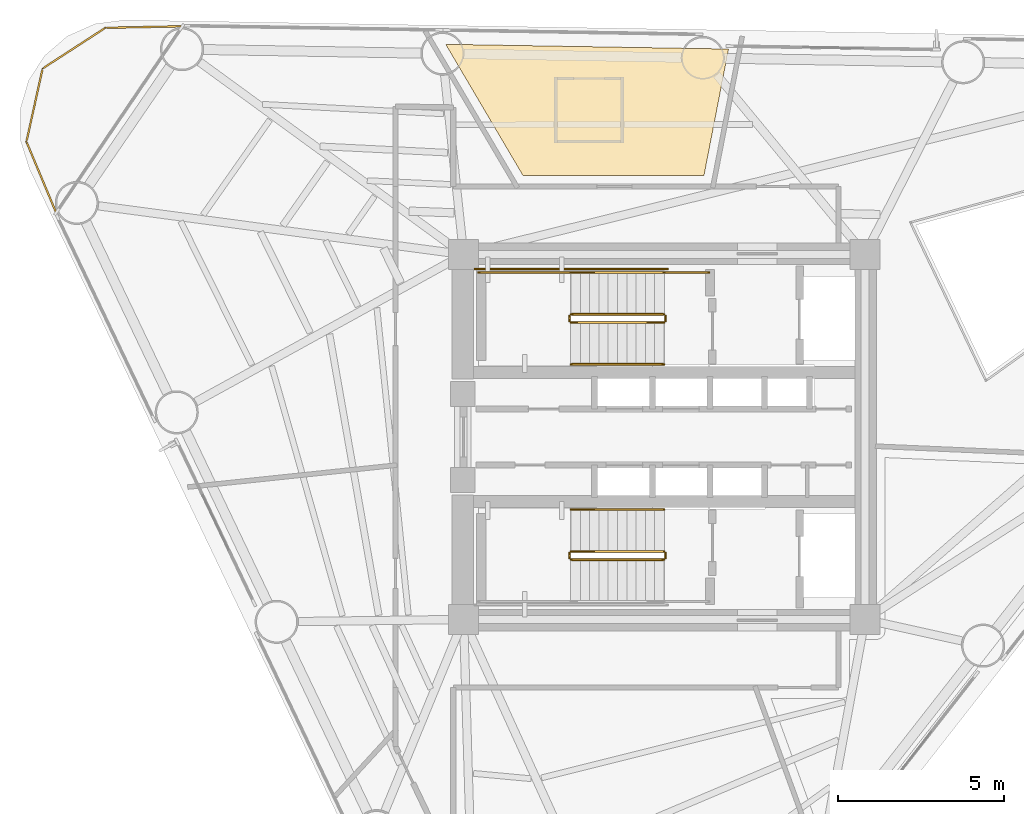
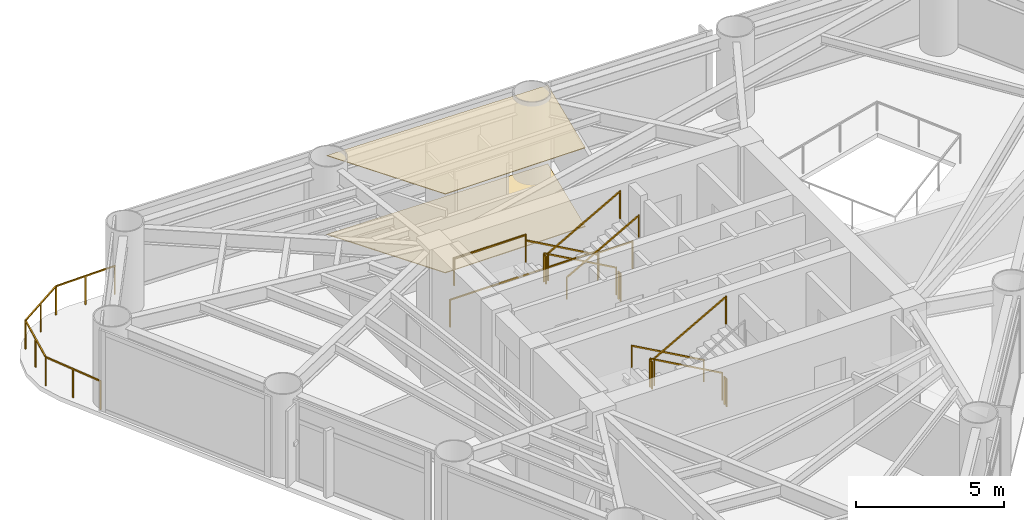
# One storey, part 9 of 10: 15 railings, 2 coverings.
"""IFC4 building model written with IfcOpenShell, lengths in metres."""

from ifc_helpers import new_model, si_unit, direction, frame, origin, origin_2d, place, context, subcontext, project, spatial, polyline, rectangle, outline, extrude, material, layer, layer_set, type_object, element, save


model = new_model("IFC4")

# Units and contexts
model_context = context("Model", 3, precision=1e-05, world=origin(), true_north=direction((0.0, 1.0)))
body_context = subcontext(model_context, "Body", "Model", "MODEL_VIEW")
ifc_project = project(units=[si_unit("LENGTHUNIT", "METRE"), si_unit("AREAUNIT", "SQUARE_METRE"), si_unit("VOLUMEUNIT", "CUBIC_METRE"), si_unit("PLANEANGLEUNIT", "RADIAN"), si_unit("MASSUNIT", "GRAM", prefix="KILO")], contexts=[model_context])

# Site, building, storey
site_placement = place(None, origin())
site = spatial("IfcSite", under=ifc_project, at=site_placement, CompositionType="ELEMENT")
building_placement = place(site_placement, origin())
building = spatial("IfcBuilding", under=site, at=building_placement, Name="Yunling Apex Tower", CompositionType="ELEMENT")
storey_placement = place(building_placement, frame((0.0, 0.0, 129.5)))
storey = spatial("IfcBuildingStorey", under=building, at=storey_placement, Name="L31", CompositionType="ELEMENT", Elevation=129.5)

# Coverings
ifc_material_1 = material(Name="Acoustic mineral fibre ceiling")
ifc_layer_1 = layer(ifc_material_1, 0.02490234375)
ifc_layer_set_1 = layer_set([ifc_layer_1], Name="Acoustic mineral fibre ceiling")
covering_type_1 = type_object("IfcCoveringType", Name="CV-CLG-1", PredefinedType="CEILING", material=ifc_layer_set_1)
covering_1_placement = place(storey_placement, frame((0.0, 0.0, 3.2451171875)))
element("IfcCovering", 1, at=covering_1_placement, inside=storey, type_object=covering_type_1, Name="CV-CL-SP-L31-GR05", PredefinedType="CEILING", context=body_context, shape_type="SweptSolid", body=[
    extrude(outline(polyline([(1.93701171875, 11.69384765625), (1.195556640625, 7.8798828125), (-4.2587890625, 7.8798828125), (-6.58935546875, 11.8369140625), (1.93701171875, 11.69384765625)])), origin(), (0.0, 0.0, 1.0), 0.02490234375),
])
ifc_material_2 = material(Name="Polished granite stone", Category="masonry")
ifc_layer_2 = layer(ifc_material_2, 0.030029296875)
ifc_layer_set_2 = layer_set([ifc_layer_2], Name="Polished granite stone")
covering_type_2 = type_object("IfcCoveringType", Name="CV-FLR-1", PredefinedType="FLOORING", material=ifc_layer_set_2)
covering_2_placement = place(storey_placement, origin())
element("IfcCovering", 2, at=covering_2_placement, inside=storey, type_object=covering_type_2, Name="CV-FL-SP-L31-GR05", PredefinedType="FLOORING", context=body_context, shape_type="SweptSolid", body=[
    extrude(outline(polyline([(1.93701171875, 11.69384765625), (1.195556640625, 7.8798828125), (-4.2587890625, 7.8798828125), (-6.58935546875, 11.8369140625), (1.93701171875, 11.69384765625)])), origin(), (0.0, 0.0, 1.0), 0.030029296875),
])

# Railings
ifc_material_3 = material(Name="Bronze anodised aluminium", Category="aluminium")
railing_type_1 = type_object("IfcRailingType", Name="RL-BAL-1200", PredefinedType="BALUSTRADE", material=ifc_material_3)
railing_1_placement = place(storey_placement, frame((-18.331298828125, 6.7578125, 0.0)))
element("IfcRailing", 3, at=railing_1_placement, inside=storey, type_object=railing_type_1, Name="RL-CRNSILL-L31-2", PredefinedType="BALUSTRADE", context=body_context, shape_type="SweptSolid", body=[
    extrude(rectangle(XDim=0.0439453125, YDim=0.0439453125, at=origin_2d()), origin(), (0.0, 0.0, 1.0), 1.199951171875),
    extrude(rectangle(XDim=0.0439453125, YDim=0.0439453125, at=origin_2d()), frame((-0.896240234375, 2.142578125, 0.0)), (0.0, 0.0, 1.0), 1.199951171875),
    extrude(rectangle(XDim=0.050048828125, YDim=0.050048828125, at=origin_2d()), frame((-0.014892578125, 0.035400390625, 1.1748046875), z_axis=(-0.385898856138, 0.92254109547, 0.0), x_axis=(-0.92254109547, -0.385898856138, 0.0)), (0.0, 0.0, 1.0), 2.245849609375),
    extrude(rectangle(XDim=0.0439453125, YDim=0.0439453125, at=origin_2d()), frame((-0.4482421875, 1.0712890625, 0.0)), (0.0, 0.0, 1.0), 1.14599609375),
    extrude(rectangle(XDim=0.0439453125, YDim=0.0439453125, at=origin_2d()), frame((-0.407958984375, 4.349609375, 0.0)), (0.0, 0.0, 1.0), 1.199951171875),
    extrude(rectangle(XDim=0.050048828125, YDim=0.050048828125, at=origin_2d()), frame((-0.887939453125, 2.179931640625, 1.1748046875), z_axis=(0.216015473483, 0.976389940145, 0.0), x_axis=(-0.976389940145, 0.216015473483, 0.0)), (0.0, 0.0, 1.0), 2.183837890625),
    extrude(rectangle(XDim=0.0439453125, YDim=0.0439453125, at=origin_2d()), frame((-0.652099609375, 3.24609375, 0.0)), (0.0, 0.0, 1.0), 1.14599609375),
    extrude(rectangle(XDim=0.0439453125, YDim=0.0439453125, at=origin_2d()), frame((1.482666015625, 5.574951171875, 0.0)), (0.0, 0.0, 1.0), 1.199951171875),
    extrude(rectangle(XDim=0.050048828125, YDim=0.050048828125, at=origin_2d()), frame((-0.375732421875, 4.370361328125, 1.1748046875), z_axis=(0.83916580884, 0.543875670786, 0.0), x_axis=(-0.543875670786, 0.83916580884, 0.0)), (0.0, 0.0, 1.0), 2.17626953125),
    extrude(rectangle(XDim=0.0439453125, YDim=0.0439453125, at=origin_2d()), frame((0.537353515625, 4.96240234375, 0.0)), (0.0, 0.0, 1.0), 1.14599609375),
    extrude(rectangle(XDim=0.0439453125, YDim=0.0439453125, at=origin_2d()), frame((3.805419921875, 5.6220703125, 0.0)), (0.0, 0.0, 1.0), 1.199951171875),
    extrude(rectangle(XDim=0.050048828125, YDim=0.050048828125, at=origin_2d()), frame((1.52099609375, 5.57568359375, 1.1748046875), z_axis=(0.999794304726, 0.020281721759, 0.0), x_axis=(-0.020281721759, 0.999794304726, 0.0)), (0.0, 0.0, 1.0), 2.24658203125),
    extrude(rectangle(XDim=0.0439453125, YDim=0.0439453125, at=origin_2d()), frame((2.64404296875, 5.5986328125, 0.0)), (0.0, 0.0, 1.0), 1.14599609375),
])
ifc_material_4 = material(Name="Steel Q355B", Category="steel")
railing_type_2 = type_object("IfcRailingType", Name="RL-GRD-1150", PredefinedType="GUARDRAIL", material=ifc_material_4)
railing_2_placement = place(storey_placement, frame((-0.010009765625, 3.699951171875, 0.15673828125)))
element("IfcRailing", 4, at=railing_2_placement, inside=storey, type_object=railing_type_2, Name="L31 ST-1 stair guard 1", PredefinedType="GUARDRAIL", context=body_context, shape_type="SweptSolid", body=[
    extrude(rectangle(XDim=0.0439453125, YDim=0.0439453125, at=origin_2d()), origin(), (0.0, 0.0, 1.0), 1.14990234375),
    extrude(rectangle(XDim=0.0439453125, YDim=0.0439453125, at=origin_2d()), frame((-2.800048828125, 0.0, 1.568359375)), (0.0, 0.0, 1.0), 1.14990234375),
    extrude(rectangle(XDim=0.050048828125, YDim=0.050048828125, at=origin_2d()), frame((-0.033447265625, 0.0, 1.1435546875), z_axis=(-0.872461907711, 0.0, 0.488682125306), x_axis=(0.0, -1.0, 0.0)), (0.0, 0.0, 1.0), 3.1328125),
])
railing_3_placement = place(storey_placement, frame((-2.860107421875, 3.64990234375, 1.72509765625)))
element("IfcRailing", 5, at=railing_3_placement, inside=storey, type_object=railing_type_2, Name="L31 ST-1 stair guard 2", PredefinedType="GUARDRAIL", context=body_context, shape_type="SweptSolid", body=[
    extrude(rectangle(XDim=0.0439453125, YDim=0.0439453125, at=origin_2d()), origin(), (0.0, 0.0, 1.0), 1.14990234375),
    extrude(rectangle(XDim=0.0439453125, YDim=0.0439453125, at=origin_2d()), frame((0.0, -0.14990234375, 0.0)), (0.0, 0.0, 1.0), 1.14990234375),
    extrude(rectangle(XDim=0.050048828125, YDim=0.050048828125, at=origin_2d()), frame((0.0, -0.038330078125, 1.125), z_axis=(0.0, -1.0, 0.0), x_axis=(1.0, 0.0, 0.0)), (0.0, 0.0, 1.0), 0.0732421875),
])
railing_4_placement = place(storey_placement, frame((-2.81005859375, 4.9599609375, 1.72509765625)))
element("IfcRailing", 6, at=railing_4_placement, inside=storey, type_object=railing_type_2, Name="L31 ST-1 stair guard 3", PredefinedType="GUARDRAIL", context=body_context, shape_type="SweptSolid", body=[
    extrude(rectangle(XDim=0.0439453125, YDim=0.0439453125, at=origin_2d()), origin(), (0.0, 0.0, 1.0), 1.14990234375),
    extrude(rectangle(XDim=0.0439453125, YDim=0.0439453125, at=origin_2d()), frame((-2.7900390625, 0.0, 0.0)), (0.0, 0.0, 1.0), 1.14990234375),
    extrude(rectangle(XDim=0.050048828125, YDim=0.050048828125, at=origin_2d()), frame((-0.038330078125, 0.0, 1.125), z_axis=(-1.0, 0.0, 0.0), x_axis=(0.0, -1.0, 0.0)), (0.0, 0.0, 1.0), 2.71337890625),
])
railing_5_placement = place(storey_placement, frame((-2.81005859375, 3.449951171875, 1.8818359375)))
element("IfcRailing", 7, at=railing_5_placement, inside=storey, type_object=railing_type_2, Name="L31 ST-1 stair guard 4", PredefinedType="GUARDRAIL", context=body_context, shape_type="SweptSolid", body=[
    extrude(rectangle(XDim=0.0439453125, YDim=0.0439453125, at=origin_2d()), origin(), (0.0, 0.0, 1.0), 1.14990234375),
    extrude(rectangle(XDim=0.0439453125, YDim=0.0439453125, at=origin_2d()), frame((2.800048828125, 0.0, 1.568115234375)), (0.0, 0.0, 1.0), 1.14990234375),
    extrude(rectangle(XDim=0.050048828125, YDim=0.050048828125, at=origin_2d()), frame((0.033447265625, 0.0, 1.1435546875), z_axis=(0.872494340497, 0.0, 0.48862421737), x_axis=(0.0, 1.0, 0.0)), (0.0, 0.0, 1.0), 3.132568359375),
])
railing_6_placement = place(storey_placement, frame((0.0400390625, 3.64990234375, 0.0)))
element("IfcRailing", 8, at=railing_6_placement, inside=storey, type_object=railing_type_2, Name="L31 ST-1 stair guard 5", PredefinedType="GUARDRAIL", context=body_context, shape_type="SweptSolid", body=[
    extrude(rectangle(XDim=0.0439453125, YDim=0.0439453125, at=origin_2d()), origin(), (0.0, 0.0, 1.0), 1.14990234375),
    extrude(rectangle(XDim=0.0439453125, YDim=0.0439453125, at=origin_2d()), frame((0.0, -0.14990234375, 0.0)), (0.0, 0.0, 1.0), 1.14990234375),
    extrude(rectangle(XDim=0.050048828125, YDim=0.050048828125, at=origin_2d()), frame((0.0, -0.038330078125, 1.125), z_axis=(0.0, -1.0, 0.0), x_axis=(1.0, 0.0, 0.0)), (0.0, 0.0, 1.0), 0.0732421875),
])
railing_7_placement = place(storey_placement, frame((1.35009765625, 4.9599609375, 0.0)))
element("IfcRailing", 9, at=railing_7_placement, inside=storey, type_object=railing_type_2, Name="L31 ST-1 stair guard 6", PredefinedType="GUARDRAIL", context=body_context, shape_type="SweptSolid", body=[
    extrude(rectangle(XDim=0.0439453125, YDim=0.0439453125, at=origin_2d()), origin(), (0.0, 0.0, 1.0), 1.14990234375),
    extrude(rectangle(XDim=0.0439453125, YDim=0.0439453125, at=origin_2d()), frame((-1.360107421875, 0.0, 0.0)), (0.0, 0.0, 1.0), 1.14990234375),
    extrude(rectangle(XDim=0.050048828125, YDim=0.050048828125, at=origin_2d()), frame((-0.038330078125, 0.0, 1.125), z_axis=(-1.0, 0.0, 0.0), x_axis=(0.0, -1.0, 0.0)), (0.0, 0.0, 1.0), 1.283447265625),
])
railing_8_placement = place(storey_placement, frame((0.090087890625, 5.06005859375, 0.0)))
element("IfcRailing", 10, at=railing_8_placement, inside=storey, type_object=railing_type_2, Name="L31 ST-1 stair guard 7", PredefinedType="GUARDRAIL", context=body_context, shape_type="SweptSolid", body=[
    extrude(rectangle(XDim=0.0439453125, YDim=0.0439453125, at=origin_2d()), origin(), (0.0, 0.0, 1.0), 1.14990234375),
    extrude(rectangle(XDim=0.0439453125, YDim=0.0439453125, at=origin_2d()), frame((-5.7900390625, 0.0, 0.0)), (0.0, 0.0, 1.0), 1.14990234375),
    extrude(rectangle(XDim=0.050048828125, YDim=0.050048828125, at=origin_2d()), frame((-0.038330078125, 0.0, 1.125), z_axis=(-1.0, 0.0, 0.0), x_axis=(0.0, -1.0, 0.0)), (0.0, 0.0, 1.0), 5.71337890625),
])
railing_9_placement = place(storey_placement, frame((-0.010009765625, -3.449951171875, 0.15673828125)))
element("IfcRailing", 11, at=railing_9_placement, inside=storey, type_object=railing_type_2, Name="L31 ST-2 stair guard 1", PredefinedType="GUARDRAIL", context=body_context, shape_type="SweptSolid", body=[
    extrude(rectangle(XDim=0.0439453125, YDim=0.0439453125, at=origin_2d()), origin(), (0.0, 0.0, 1.0), 1.14990234375),
    extrude(rectangle(XDim=0.0439453125, YDim=0.0439453125, at=origin_2d()), frame((-2.800048828125, 0.0, 1.568359375)), (0.0, 0.0, 1.0), 1.14990234375),
    extrude(rectangle(XDim=0.050048828125, YDim=0.050048828125, at=origin_2d()), frame((-0.033447265625, 0.0, 1.1435546875), z_axis=(-0.872461907711, 0.0, 0.488682125306), x_axis=(0.0, -1.0, 0.0)), (0.0, 0.0, 1.0), 3.1328125),
])
railing_10_placement = place(storey_placement, frame((-2.860107421875, -3.5, 1.72509765625)))
element("IfcRailing", 12, at=railing_10_placement, inside=storey, type_object=railing_type_2, Name="L31 ST-2 stair guard 2", PredefinedType="GUARDRAIL", context=body_context, shape_type="SweptSolid", body=[
    extrude(rectangle(XDim=0.0439453125, YDim=0.0439453125, at=origin_2d()), origin(), (0.0, 0.0, 1.0), 1.14990234375),
    extrude(rectangle(XDim=0.0439453125, YDim=0.0439453125, at=origin_2d()), frame((0.0, -0.14990234375, 0.0)), (0.0, 0.0, 1.0), 1.14990234375),
    extrude(rectangle(XDim=0.050048828125, YDim=0.050048828125, at=origin_2d()), frame((0.0, -0.038330078125, 1.125), z_axis=(0.0, -1.0, 0.0), x_axis=(1.0, 0.0, 0.0)), (0.0, 0.0, 1.0), 0.0732421875),
])
railing_11_placement = place(storey_placement, frame((-2.81005859375, -3.699951171875, 1.8818359375)))
element("IfcRailing", 13, at=railing_11_placement, inside=storey, type_object=railing_type_2, Name="L31 ST-2 stair guard 4", PredefinedType="GUARDRAIL", context=body_context, shape_type="SweptSolid", body=[
    extrude(rectangle(XDim=0.0439453125, YDim=0.0439453125, at=origin_2d()), origin(), (0.0, 0.0, 1.0), 1.14990234375),
    extrude(rectangle(XDim=0.0439453125, YDim=0.0439453125, at=origin_2d()), frame((2.800048828125, 0.0, 1.568115234375)), (0.0, 0.0, 1.0), 1.14990234375),
    extrude(rectangle(XDim=0.050048828125, YDim=0.050048828125, at=origin_2d()), frame((0.033447265625, 0.0, 1.1435546875), z_axis=(0.872494340497, 0.0, 0.48862421737), x_axis=(0.0, 1.0, 0.0)), (0.0, 0.0, 1.0), 3.132568359375),
])
railing_12_placement = place(storey_placement, frame((0.0400390625, -3.5, 0.0)))
element("IfcRailing", 14, at=railing_12_placement, inside=storey, type_object=railing_type_2, Name="L31 ST-2 stair guard 5", PredefinedType="GUARDRAIL", context=body_context, shape_type="SweptSolid", body=[
    extrude(rectangle(XDim=0.0439453125, YDim=0.0439453125, at=origin_2d()), origin(), (0.0, 0.0, 1.0), 1.14990234375),
    extrude(rectangle(XDim=0.0439453125, YDim=0.0439453125, at=origin_2d()), frame((0.0, -0.14990234375, 0.0)), (0.0, 0.0, 1.0), 1.14990234375),
    extrude(rectangle(XDim=0.050048828125, YDim=0.050048828125, at=origin_2d()), frame((0.0, -0.038330078125, 1.125), z_axis=(0.0, -1.0, 0.0), x_axis=(1.0, 0.0, 0.0)), (0.0, 0.0, 1.0), 0.0732421875),
])
ifc_material_5 = material(Name="Silver anodised aluminium", Category="aluminium")
railing_type_3 = type_object("IfcRailingType", Name="RL-HND-900", PredefinedType="HANDRAIL", material=ifc_material_5)
railing_13_placement = place(storey_placement, frame((-0.010009765625, 4.9599609375, 0.15673828125)))
element("IfcRailing", 15, at=railing_13_placement, inside=storey, type_object=railing_type_3, Name="L31 ST-1 stair handrail 1", PredefinedType="HANDRAIL", context=body_context, shape_type="SweptSolid", body=[
    extrude(rectangle(XDim=0.0439453125, YDim=0.0439453125, at=origin_2d()), origin(), (0.0, 0.0, 1.0), 0.919921875),
    extrude(rectangle(XDim=0.0439453125, YDim=0.0439453125, at=origin_2d()), frame((-2.800048828125, 0.0, 1.568359375)), (0.0, 0.0, 1.0), 0.919921875),
    extrude(rectangle(XDim=0.050048828125, YDim=0.050048828125, at=origin_2d()), frame((-0.033447265625, 0.0, 0.91357421875), z_axis=(-0.872461907711, 0.0, 0.488682125306), x_axis=(0.0, -1.0, 0.0)), (0.0, 0.0, 1.0), 3.1328125),
])
railing_14_placement = place(storey_placement, frame((-2.81005859375, 2.18994140625, 1.8818359375)))
element("IfcRailing", 16, at=railing_14_placement, inside=storey, type_object=railing_type_3, Name="L31 ST-1 stair handrail 2", PredefinedType="HANDRAIL", context=body_context, shape_type="SweptSolid", body=[
    extrude(rectangle(XDim=0.0439453125, YDim=0.0439453125, at=origin_2d()), origin(), (0.0, 0.0, 1.0), 0.919921875),
    extrude(rectangle(XDim=0.0439453125, YDim=0.0439453125, at=origin_2d()), frame((2.800048828125, 0.0, 1.568115234375)), (0.0, 0.0, 1.0), 0.919921875),
    extrude(rectangle(XDim=0.050048828125, YDim=0.050048828125, at=origin_2d()), frame((0.033447265625, 0.0, 0.91357421875), z_axis=(0.872494340497, 0.0, 0.48862421737), x_axis=(0.0, 1.0, 0.0)), (0.0, 0.0, 1.0), 3.132568359375),
])
railing_15_placement = place(storey_placement, frame((-0.010009765625, -2.18994140625, 0.15673828125)))
element("IfcRailing", 17, at=railing_15_placement, inside=storey, type_object=railing_type_3, Name="L31 ST-2 stair handrail 1", PredefinedType="HANDRAIL", context=body_context, shape_type="SweptSolid", body=[
    extrude(rectangle(XDim=0.0439453125, YDim=0.0439453125, at=origin_2d()), origin(), (0.0, 0.0, 1.0), 0.919921875),
    extrude(rectangle(XDim=0.0439453125, YDim=0.0439453125, at=origin_2d()), frame((-2.800048828125, 0.0, 1.568359375)), (0.0, 0.0, 1.0), 0.919921875),
    extrude(rectangle(XDim=0.050048828125, YDim=0.050048828125, at=origin_2d()), frame((-0.033447265625, 0.0, 0.91357421875), z_axis=(-0.872461907711, 0.0, 0.488682125306), x_axis=(0.0, -1.0, 0.0)), (0.0, 0.0, 1.0), 3.1328125),
])

save(model, "model.ifc")
